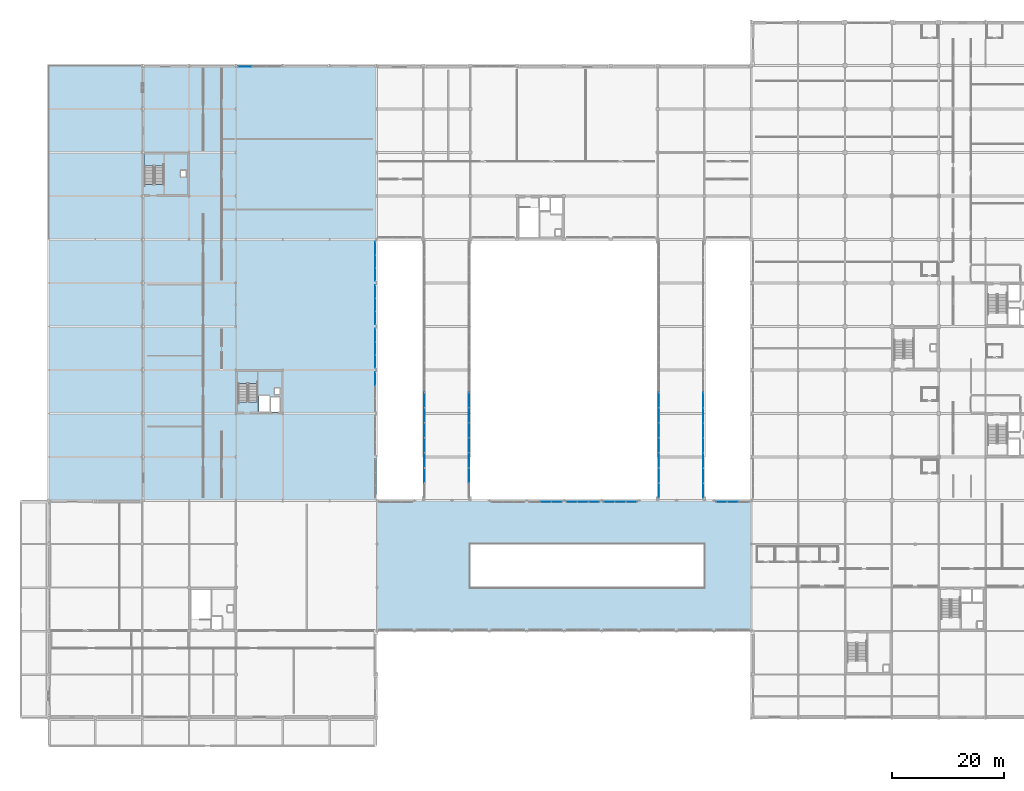
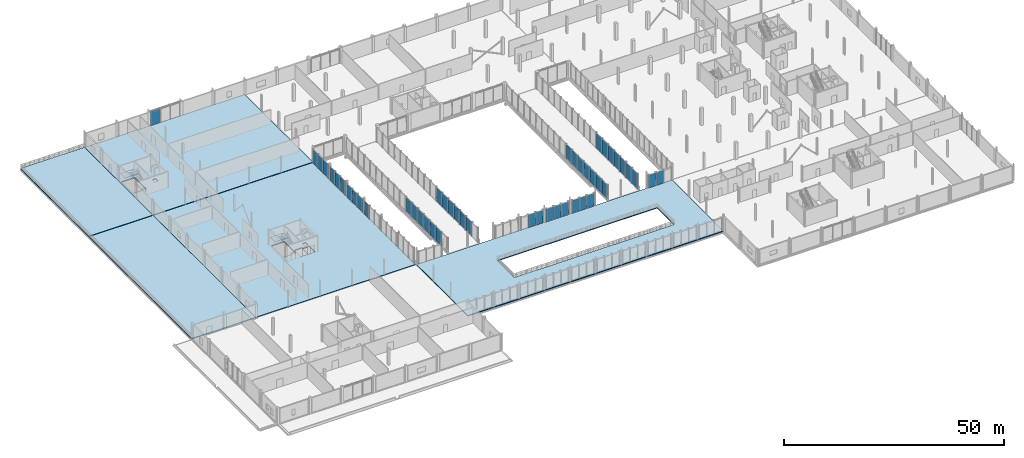
# One storey, part 62 of 98: 47 plates, 7 slabs, 15 elements without a shape of their own.
"""IFC4 building model written with IfcOpenShell, lengths in metres."""

from ifc_helpers import new_model, si_unit, direction, frame, origin, origin_2d, place, context, subcontext, project, spatial, polyline, rectangle, outline, extrude, material, layer, layer_set, type_object, element, aggregate, save


model = new_model("IFC4")

# Units and contexts
model_context = context("Model", 3, precision=1e-05, world=origin(), true_north=direction((0.0, 1.0)))
body_context = subcontext(model_context, "Body", "Model", "MODEL_VIEW")
ifc_project = project(units=[si_unit("LENGTHUNIT", "METRE"), si_unit("AREAUNIT", "SQUARE_METRE"), si_unit("VOLUMEUNIT", "CUBIC_METRE"), si_unit("PLANEANGLEUNIT", "RADIAN"), si_unit("MASSUNIT", "GRAM", prefix="KILO")], contexts=[model_context])

# Site, building, storey
site_placement = place(None, origin())
site = spatial("IfcSite", under=ifc_project, at=site_placement, CompositionType="ELEMENT")
building_placement = place(site_placement, origin())
building = spatial("IfcBuilding", under=site, at=building_placement, Name="Nabrawat Pavilion Hospital", CompositionType="ELEMENT")
storey_placement = place(building_placement, frame((0.0, 0.0, 10.199951171875)))
storey = spatial("IfcBuildingStorey", under=building, at=storey_placement, Name="L02", CompositionType="ELEMENT", Elevation=10.199951171875)

# Slab
ifc_material_1 = material(Name="Concrete C35/45", Category="concrete")
ifc_layer_1 = layer(ifc_material_1, 0.239990234375, Name="Concrete C35/45")
ifc_layer_set_1 = layer_set([ifc_layer_1], Name="Concrete C35/45")
slab_type_1 = type_object("IfcSlabType", Name="Composite Gallery Floor Slab 240", PredefinedType="FLOOR", material=ifc_layer_set_1)
slab_1_placement = place(storey_placement, frame((0.0, 0.0, -0.239990234375)))
element("IfcSlab", 1, at=slab_1_placement, inside=storey, type_object=slab_type_1, Name="L02 Structural Floor Slab P_L02_V1", PredefinedType="FLOOR", context=body_context, shape_type="SweptSolid", body=[
    extrude(outline(polyline([(58.919921875, 15.60009765625), (126.0, 15.60009765625), (126.0, 39.0), (58.919921875, 39.0), (58.919921875, 15.60009765625)]), holes=[polyline([(75.60009765625, 23.39990234375), (75.60009765625, 31.199951171875), (117.60009765625, 31.199951171875), (117.60009765625, 23.39990234375), (75.60009765625, 23.39990234375)])]), origin(), (0.0, 0.0, 1.0), 0.239990234375),
])

# Curtain wall, plates
ifc_material_2 = material(Name="Anodised Aluminium", Category="aluminium")
curtain_wall_type_1 = type_object("IfcCurtainWallType", Name="Courtyard Link Bridge Glazed Curtain Wall", PredefinedType="USERDEFINED", material=ifc_material_2)
curtain_wall_1_placement = place(storey_placement, origin())
curtain_wall_1 = element("IfcCurtainWall", 2, at=curtain_wall_1_placement, inside=storey, type_object=curtain_wall_type_1, Name="L02 Courtyard Link Bridge Glazed Curtain Wall 117", ObjectType="CURTAIN WALL", PredefinedType="USERDEFINED")
ifc_material_3 = material(Name="Double-Glazed Low-E Glass", Category="glass")
ifc_layer_2 = layer(ifc_material_3, 0.031982421875, Name="Double-Glazed Low-E Glass")
ifc_layer_set_2 = layer_set([ifc_layer_2], Name="Double-Glazed Low-E Glass")
plate_type_1 = type_object("IfcPlateType", Name="Courtyard Link Bridge Glazed Curtain Wall Low-E Solar Panel 32", PredefinedType="CURTAIN_PANEL", material=ifc_layer_set_2)
plate_1_placement = place(storey_placement, frame((67.419921875, 43.49169921875, 0.070068359375), z_axis=(0.0, 0.0, 1.0), x_axis=(0.0, 1.0, 0.0)))
plate_1 = element("IfcPlate", 3, at=plate_1_placement, type_object=plate_type_1, Name="CW-BRG-01 panel 2.1", PredefinedType="CURTAIN_PANEL", context=body_context, shape_type="SweptSolid", body=[
    extrude(rectangle(XDim=2.631103515625, YDim=0.031982421875, at=origin_2d()), origin(), (0.0, 0.0, 1.0), 3.89990234375),
])
plate_2_placement = place(storey_placement, frame((67.419921875, 46.19287109375, 0.070068359375), z_axis=(0.0, 0.0, 1.0), x_axis=(0.0, 1.0, 0.0)))
plate_2 = element("IfcPlate", 4, at=plate_2_placement, type_object=plate_type_1, Name="CW-BRG-01 panel 3.1", PredefinedType="CURTAIN_PANEL", context=body_context, shape_type="SweptSolid", body=[
    extrude(rectangle(XDim=2.631103515625, YDim=0.031982421875, at=origin_2d()), origin(), (0.0, 0.0, 1.0), 3.89990234375),
])
plate_3_placement = place(storey_placement, frame((67.419921875, 48.89404296875, 0.070068359375), z_axis=(0.0, 0.0, 1.0), x_axis=(0.0, 1.0, 0.0)))
plate_3 = element("IfcPlate", 5, at=plate_3_placement, type_object=plate_type_1, Name="CW-BRG-01 panel 4.1", PredefinedType="CURTAIN_PANEL", context=body_context, shape_type="SweptSolid", body=[
    extrude(rectangle(XDim=2.631103515625, YDim=0.031982421875, at=origin_2d()), origin(), (0.0, 0.0, 1.0), 3.89990234375),
])
plate_4_placement = place(storey_placement, frame((67.419921875, 51.59521484375, 0.070068359375), z_axis=(0.0, 0.0, 1.0), x_axis=(0.0, 1.0, 0.0)))
plate_4 = element("IfcPlate", 6, at=plate_4_placement, type_object=plate_type_1, Name="CW-BRG-01 panel 5.1", PredefinedType="CURTAIN_PANEL", context=body_context, shape_type="SweptSolid", body=[
    extrude(rectangle(XDim=2.631103515625, YDim=0.031982421875, at=origin_2d()), origin(), (0.0, 0.0, 1.0), 3.89990234375),
])
plate_5_placement = place(storey_placement, frame((67.419921875, 54.29638671875, 0.070068359375), z_axis=(0.0, 0.0, 1.0), x_axis=(0.0, 1.0, 0.0)))
plate_5 = element("IfcPlate", 7, at=plate_5_placement, type_object=plate_type_1, Name="CW-BRG-01 panel 6.1", PredefinedType="CURTAIN_PANEL", context=body_context, shape_type="SweptSolid", body=[
    extrude(rectangle(XDim=2.631103515625, YDim=0.031982421875, at=origin_2d()), origin(), (0.0, 0.0, 1.0), 3.89990234375),
])
plate_6_placement = place(storey_placement, frame((67.419921875, 56.99755859375, 0.070068359375), z_axis=(0.0, 0.0, 1.0), x_axis=(0.0, 1.0, 0.0)))
plate_6 = element("IfcPlate", 8, at=plate_6_placement, type_object=plate_type_1, Name="CW-BRG-01 panel 7.1", PredefinedType="CURTAIN_PANEL", context=body_context, shape_type="SweptSolid", body=[
    extrude(rectangle(XDim=2.631103515625, YDim=0.031982421875, at=origin_2d()), origin(), (0.0, 0.0, 1.0), 3.89990234375),
])
aggregate(curtain_wall_1, [plate_1, plate_2, plate_3, plate_4, plate_5, plate_6])

curtain_wall_2_placement = place(storey_placement, origin())
curtain_wall_2 = element("IfcCurtainWall", 9, at=curtain_wall_2_placement, inside=storey, type_object=curtain_wall_type_1, Name="L02 Courtyard Link Bridge Glazed Curtain Wall 118", ObjectType="CURTAIN WALL", PredefinedType="USERDEFINED")
plate_7_placement = place(storey_placement, frame((75.3798828125, 43.49169921875, 0.070068359375), z_axis=(0.0, 0.0, 1.0), x_axis=(0.0, 1.0, 0.0)))
plate_7 = element("IfcPlate", 10, at=plate_7_placement, type_object=plate_type_1, Name="CW-BRG-01 panel 2.1", PredefinedType="CURTAIN_PANEL", context=body_context, shape_type="SweptSolid", body=[
    extrude(rectangle(XDim=2.631103515625, YDim=0.031982421875, at=origin_2d()), origin(), (0.0, 0.0, 1.0), 3.89990234375),
])
plate_8_placement = place(storey_placement, frame((75.3798828125, 46.19287109375, 0.070068359375), z_axis=(0.0, 0.0, 1.0), x_axis=(0.0, 1.0, 0.0)))
plate_8 = element("IfcPlate", 11, at=plate_8_placement, type_object=plate_type_1, Name="CW-BRG-01 panel 3.1", PredefinedType="CURTAIN_PANEL", context=body_context, shape_type="SweptSolid", body=[
    extrude(rectangle(XDim=2.631103515625, YDim=0.031982421875, at=origin_2d()), origin(), (0.0, 0.0, 1.0), 3.89990234375),
])
plate_9_placement = place(storey_placement, frame((75.3798828125, 48.89404296875, 0.070068359375), z_axis=(0.0, 0.0, 1.0), x_axis=(0.0, 1.0, 0.0)))
plate_9 = element("IfcPlate", 12, at=plate_9_placement, type_object=plate_type_1, Name="CW-BRG-01 panel 4.1", PredefinedType="CURTAIN_PANEL", context=body_context, shape_type="SweptSolid", body=[
    extrude(rectangle(XDim=2.631103515625, YDim=0.031982421875, at=origin_2d()), origin(), (0.0, 0.0, 1.0), 3.89990234375),
])
plate_10_placement = place(storey_placement, frame((75.3798828125, 51.59521484375, 0.070068359375), z_axis=(0.0, 0.0, 1.0), x_axis=(0.0, 1.0, 0.0)))
plate_10 = element("IfcPlate", 13, at=plate_10_placement, type_object=plate_type_1, Name="CW-BRG-01 panel 5.1", PredefinedType="CURTAIN_PANEL", context=body_context, shape_type="SweptSolid", body=[
    extrude(rectangle(XDim=2.631103515625, YDim=0.031982421875, at=origin_2d()), origin(), (0.0, 0.0, 1.0), 3.89990234375),
])
plate_11_placement = place(storey_placement, frame((75.3798828125, 54.29638671875, 0.070068359375), z_axis=(0.0, 0.0, 1.0), x_axis=(0.0, 1.0, 0.0)))
plate_11 = element("IfcPlate", 14, at=plate_11_placement, type_object=plate_type_1, Name="CW-BRG-01 panel 6.1", PredefinedType="CURTAIN_PANEL", context=body_context, shape_type="SweptSolid", body=[
    extrude(rectangle(XDim=2.631103515625, YDim=0.031982421875, at=origin_2d()), origin(), (0.0, 0.0, 1.0), 3.89990234375),
])
plate_12_placement = place(storey_placement, frame((75.3798828125, 56.99755859375, 0.070068359375), z_axis=(0.0, 0.0, 1.0), x_axis=(0.0, 1.0, 0.0)))
plate_12 = element("IfcPlate", 15, at=plate_12_placement, type_object=plate_type_1, Name="CW-BRG-01 panel 7.1", PredefinedType="CURTAIN_PANEL", context=body_context, shape_type="SweptSolid", body=[
    extrude(rectangle(XDim=2.631103515625, YDim=0.031982421875, at=origin_2d()), origin(), (0.0, 0.0, 1.0), 3.89990234375),
])
aggregate(curtain_wall_2, [plate_7, plate_8, plate_9, plate_10, plate_11, plate_12])

curtain_wall_3_placement = place(storey_placement, origin())
curtain_wall_3 = element("IfcCurtainWall", 16, at=curtain_wall_3_placement, inside=storey, type_object=curtain_wall_type_1, Name="L02 Courtyard Link Bridge Glazed Curtain Wall 126", ObjectType="CURTAIN WALL", PredefinedType="USERDEFINED")
plate_13_placement = place(storey_placement, frame((109.419921875, 40.80810546875, 0.070068359375), z_axis=(0.0, 0.0, 1.0), x_axis=(0.0, 1.0, 0.0)))
plate_13 = element("IfcPlate", 17, at=plate_13_placement, type_object=plate_type_1, Name="CW-BRG-01 panel 1.1", PredefinedType="CURTAIN_PANEL", context=body_context, shape_type="SweptSolid", body=[
    extrude(rectangle(XDim=2.59619140625, YDim=0.031982421875, at=origin_2d()), origin(), (0.0, 0.0, 1.0), 3.89990234375),
])
plate_14_placement = place(storey_placement, frame((109.419921875, 43.49169921875, 0.070068359375), z_axis=(0.0, 0.0, 1.0), x_axis=(0.0, 1.0, 0.0)))
plate_14 = element("IfcPlate", 18, at=plate_14_placement, type_object=plate_type_1, Name="CW-BRG-01 panel 2.1", PredefinedType="CURTAIN_PANEL", context=body_context, shape_type="SweptSolid", body=[
    extrude(rectangle(XDim=2.631103515625, YDim=0.031982421875, at=origin_2d()), origin(), (0.0, 0.0, 1.0), 3.89990234375),
])
plate_15_placement = place(storey_placement, frame((109.419921875, 46.19287109375, 0.070068359375), z_axis=(0.0, 0.0, 1.0), x_axis=(0.0, 1.0, 0.0)))
plate_15 = element("IfcPlate", 19, at=plate_15_placement, type_object=plate_type_1, Name="CW-BRG-01 panel 3.1", PredefinedType="CURTAIN_PANEL", context=body_context, shape_type="SweptSolid", body=[
    extrude(rectangle(XDim=2.631103515625, YDim=0.031982421875, at=origin_2d()), origin(), (0.0, 0.0, 1.0), 3.89990234375),
])
plate_16_placement = place(storey_placement, frame((109.419921875, 48.89404296875, 0.070068359375), z_axis=(0.0, 0.0, 1.0), x_axis=(0.0, 1.0, 0.0)))
plate_16 = element("IfcPlate", 20, at=plate_16_placement, type_object=plate_type_1, Name="CW-BRG-01 panel 4.1", PredefinedType="CURTAIN_PANEL", context=body_context, shape_type="SweptSolid", body=[
    extrude(rectangle(XDim=2.631103515625, YDim=0.031982421875, at=origin_2d()), origin(), (0.0, 0.0, 1.0), 3.89990234375),
])
plate_17_placement = place(storey_placement, frame((109.419921875, 51.59521484375, 0.070068359375), z_axis=(0.0, 0.0, 1.0), x_axis=(0.0, 1.0, 0.0)))
plate_17 = element("IfcPlate", 21, at=plate_17_placement, type_object=plate_type_1, Name="CW-BRG-01 panel 5.1", PredefinedType="CURTAIN_PANEL", context=body_context, shape_type="SweptSolid", body=[
    extrude(rectangle(XDim=2.631103515625, YDim=0.031982421875, at=origin_2d()), origin(), (0.0, 0.0, 1.0), 3.89990234375),
])
plate_18_placement = place(storey_placement, frame((109.419921875, 54.29638671875, 0.070068359375), z_axis=(0.0, 0.0, 1.0), x_axis=(0.0, 1.0, 0.0)))
plate_18 = element("IfcPlate", 22, at=plate_18_placement, type_object=plate_type_1, Name="CW-BRG-01 panel 6.1", PredefinedType="CURTAIN_PANEL", context=body_context, shape_type="SweptSolid", body=[
    extrude(rectangle(XDim=2.631103515625, YDim=0.031982421875, at=origin_2d()), origin(), (0.0, 0.0, 1.0), 3.89990234375),
])
plate_19_placement = place(storey_placement, frame((109.419921875, 56.99755859375, 0.070068359375), z_axis=(0.0, 0.0, 1.0), x_axis=(0.0, 1.0, 0.0)))
plate_19 = element("IfcPlate", 23, at=plate_19_placement, type_object=plate_type_1, Name="CW-BRG-01 panel 7.1", PredefinedType="CURTAIN_PANEL", context=body_context, shape_type="SweptSolid", body=[
    extrude(rectangle(XDim=2.631103515625, YDim=0.031982421875, at=origin_2d()), origin(), (0.0, 0.0, 1.0), 3.89990234375),
])
aggregate(curtain_wall_3, [plate_13, plate_14, plate_15, plate_16, plate_17, plate_18, plate_19])

curtain_wall_4_placement = place(storey_placement, origin())
curtain_wall_4 = element("IfcCurtainWall", 24, at=curtain_wall_4_placement, inside=storey, type_object=curtain_wall_type_1, Name="L02 Courtyard Link Bridge Glazed Curtain Wall 127", ObjectType="CURTAIN WALL", PredefinedType="USERDEFINED")
plate_20_placement = place(storey_placement, frame((117.3798828125, 40.80810546875, 0.070068359375), z_axis=(0.0, 0.0, 1.0), x_axis=(0.0, 1.0, 0.0)))
plate_20 = element("IfcPlate", 25, at=plate_20_placement, type_object=plate_type_1, Name="CW-BRG-01 panel 1.1", PredefinedType="CURTAIN_PANEL", context=body_context, shape_type="SweptSolid", body=[
    extrude(rectangle(XDim=2.59619140625, YDim=0.031982421875, at=origin_2d()), origin(), (0.0, 0.0, 1.0), 4.22998046875),
])
plate_21_placement = place(storey_placement, frame((117.3798828125, 43.49169921875, 0.070068359375), z_axis=(0.0, 0.0, 1.0), x_axis=(0.0, 1.0, 0.0)))
plate_21 = element("IfcPlate", 26, at=plate_21_placement, type_object=plate_type_1, Name="CW-BRG-01 panel 2.1", PredefinedType="CURTAIN_PANEL", context=body_context, shape_type="SweptSolid", body=[
    extrude(rectangle(XDim=2.631103515625, YDim=0.031982421875, at=origin_2d()), origin(), (0.0, 0.0, 1.0), 4.22998046875),
])
plate_22_placement = place(storey_placement, frame((117.3798828125, 46.19287109375, 0.070068359375), z_axis=(0.0, 0.0, 1.0), x_axis=(0.0, 1.0, 0.0)))
plate_22 = element("IfcPlate", 27, at=plate_22_placement, type_object=plate_type_1, Name="CW-BRG-01 panel 3.1", PredefinedType="CURTAIN_PANEL", context=body_context, shape_type="SweptSolid", body=[
    extrude(rectangle(XDim=2.631103515625, YDim=0.031982421875, at=origin_2d()), origin(), (0.0, 0.0, 1.0), 4.22998046875),
])
plate_23_placement = place(storey_placement, frame((117.3798828125, 48.89404296875, 0.070068359375), z_axis=(0.0, 0.0, 1.0), x_axis=(0.0, 1.0, 0.0)))
plate_23 = element("IfcPlate", 28, at=plate_23_placement, type_object=plate_type_1, Name="CW-BRG-01 panel 4.1", PredefinedType="CURTAIN_PANEL", context=body_context, shape_type="SweptSolid", body=[
    extrude(rectangle(XDim=2.631103515625, YDim=0.031982421875, at=origin_2d()), origin(), (0.0, 0.0, 1.0), 4.22998046875),
])
plate_24_placement = place(storey_placement, frame((117.3798828125, 51.59521484375, 0.070068359375), z_axis=(0.0, 0.0, 1.0), x_axis=(0.0, 1.0, 0.0)))
plate_24 = element("IfcPlate", 29, at=plate_24_placement, type_object=plate_type_1, Name="CW-BRG-01 panel 5.1", PredefinedType="CURTAIN_PANEL", context=body_context, shape_type="SweptSolid", body=[
    extrude(rectangle(XDim=2.631103515625, YDim=0.031982421875, at=origin_2d()), origin(), (0.0, 0.0, 1.0), 4.22998046875),
])
plate_25_placement = place(storey_placement, frame((117.3798828125, 54.29638671875, 0.070068359375), z_axis=(0.0, 0.0, 1.0), x_axis=(0.0, 1.0, 0.0)))
plate_25 = element("IfcPlate", 30, at=plate_25_placement, type_object=plate_type_1, Name="CW-BRG-01 panel 6.1", PredefinedType="CURTAIN_PANEL", context=body_context, shape_type="SweptSolid", body=[
    extrude(rectangle(XDim=2.631103515625, YDim=0.031982421875, at=origin_2d()), origin(), (0.0, 0.0, 1.0), 4.22998046875),
])
plate_26_placement = place(storey_placement, frame((117.3798828125, 56.99755859375, 0.070068359375), z_axis=(0.0, 0.0, 1.0), x_axis=(0.0, 1.0, 0.0)))
plate_26 = element("IfcPlate", 31, at=plate_26_placement, type_object=plate_type_1, Name="CW-BRG-01 panel 7.1", PredefinedType="CURTAIN_PANEL", context=body_context, shape_type="SweptSolid", body=[
    extrude(rectangle(XDim=2.631103515625, YDim=0.031982421875, at=origin_2d()), origin(), (0.0, 0.0, 1.0), 4.22998046875),
])
aggregate(curtain_wall_4, [plate_20, plate_21, plate_22, plate_23, plate_24, plate_25, plate_26])

# Curtain wall, plate
curtain_wall_type_2 = type_object("IfcCurtainWallType", Name="Emergency Concourse Glazed Screen", PredefinedType="USERDEFINED", material=ifc_material_2)
curtain_wall_5_placement = place(storey_placement, origin())
curtain_wall_5 = element("IfcCurtainWall", 32, at=curtain_wall_5_placement, inside=storey, type_object=curtain_wall_type_2, Name="L02 Emergency Concourse Glazed Screen 097", ObjectType="CURTAIN WALL", PredefinedType="USERDEFINED")
ifc_layer_3 = layer(ifc_material_3, 0.030029296875, Name="Double-Glazed Low-E Glass")
ifc_layer_set_3 = layer_set([ifc_layer_3], Name="Double-Glazed Low-E Glass")
plate_type_2 = type_object("IfcPlateType", Name="Emergency Concourse Glazed Screen Low-E Solar Panel 30", PredefinedType="CURTAIN_PANEL", material=ifc_layer_set_3)
plate_27_placement = place(storey_placement, frame((35.230712890625, 116.780029296875, 0.070068359375), z_axis=(0.0, 0.0, 1.0), x_axis=(1.0, 0.0, 0.0)))
plate_27 = element("IfcPlate", 33, at=plate_27_placement, type_object=plate_type_2, Name="CW-ED-01 panel 1.1", PredefinedType="CURTAIN_PANEL", context=body_context, shape_type="SweptSolid", body=[
    extrude(rectangle(XDim=2.481689453125, YDim=0.030029296875, at=origin_2d()), origin(), (0.0, 0.0, 1.0), 3.8701171875),
])
aggregate(curtain_wall_5, [plate_27])

# Slabs
ifc_layer_4 = layer(ifc_material_1, 0.22998046875, Name="Concrete C35/45")
ifc_layer_set_4 = layer_set([ifc_layer_4], Name="Concrete C35/45")
slab_type_2 = type_object("IfcSlabType", Name="Exterior Clinical Terrace Slab 230", PredefinedType="FLOOR", material=ifc_layer_set_4)
slab_2_placement = place(storey_placement, frame((0.0, 0.0, -0.22998046875)))
element("IfcSlab", 34, at=slab_2_placement, inside=storey, type_object=slab_type_2, Name="L02 Walkable Clinical Terrace Slab T_L02_SURG_WEST_S", PredefinedType="FLOOR", context=body_context, shape_type="SweptSolid", body=[
    extrude(outline(polyline([(16.800048828125, 39.1201171875), (16.800048828125, 85.800048828125), (0.0, 85.800048828125), (0.0, 39.1201171875), (16.800048828125, 39.1201171875)])), origin(), (0.0, 0.0, 1.0), 0.22998046875),
])
slab_3_placement = place(storey_placement, frame((0.0, 0.0, -0.22998046875)))
element("IfcSlab", 35, at=slab_3_placement, inside=storey, type_object=slab_type_2, Name="L02 Walkable Clinical Terrace Slab T_L02_SURG_WEST_N", PredefinedType="FLOOR", context=body_context, shape_type="SweptSolid", body=[
    extrude(outline(polyline([(16.800048828125, 85.919921875), (16.800048828125, 117.0), (0.0, 117.0), (0.0, 85.919921875), (16.800048828125, 85.919921875)])), origin(), (0.0, 0.0, 1.0), 0.22998046875),
])

# Curtain wall, plate
curtain_wall_type_3 = type_object("IfcCurtainWallType", Name="Healing Garden Cloister Curtain Wall", PredefinedType="USERDEFINED", material=ifc_material_2)
curtain_wall_6_placement = place(storey_placement, origin())
curtain_wall_6 = element("IfcCurtainWall", 36, at=curtain_wall_6_placement, inside=storey, type_object=curtain_wall_type_3, Name="L02 Healing Garden Cloister Curtain Wall 110", ObjectType="CURTAIN WALL", PredefinedType="USERDEFINED")
ifc_layer_5 = layer(ifc_material_3, 0.028076171875, Name="Double-Glazed Low-E Glass")
ifc_layer_set_5 = layer_set([ifc_layer_5], Name="Double-Glazed Low-E Glass")
plate_type_3 = type_object("IfcPlateType", Name="Healing Garden Cloister Curtain Wall Low-E Solar Panel 28", PredefinedType="CURTAIN_PANEL", material=ifc_layer_set_5)
plate_28_placement = place(storey_placement, frame((58.580078125, 60.84033203125, 0.065185546875), z_axis=(0.0, 0.0, 1.0), x_axis=(0.0, 1.0, 0.0)))
plate_28 = element("IfcPlate", 37, at=plate_28_placement, type_object=plate_type_3, Name="CW-CLN-01 panel 3.1", PredefinedType="CURTAIN_PANEL", context=body_context, shape_type="SweptSolid", body=[
    extrude(rectangle(XDim=2.25927734375, YDim=0.028076171875, at=origin_2d()), origin(), (0.0, 0.0, 1.0), 3.68994140625),
])
aggregate(curtain_wall_6, [plate_28])

# Curtain wall, plates
curtain_wall_7_placement = place(storey_placement, origin())
curtain_wall_7 = element("IfcCurtainWall", 38, at=curtain_wall_7_placement, inside=storey, type_object=curtain_wall_type_3, Name="L02 Healing Garden Cloister Curtain Wall 111", ObjectType="CURTAIN WALL", PredefinedType="USERDEFINED")
plate_29_placement = place(storey_placement, frame((58.580078125, 63.95947265625, 0.065185546875), z_axis=(0.0, 0.0, 1.0), x_axis=(0.0, 1.0, 0.0)))
plate_29 = element("IfcPlate", 39, at=plate_29_placement, type_object=plate_type_3, Name="CW-CLN-01 panel 1.1", PredefinedType="CURTAIN_PANEL", context=body_context, shape_type="SweptSolid", body=[
    extrude(rectangle(XDim=2.25927734375, YDim=0.028076171875, at=origin_2d()), origin(), (0.0, 0.0, 1.0), 3.68994140625),
])
plate_30_placement = place(storey_placement, frame((58.580078125, 66.300048828125, 0.065185546875), z_axis=(0.0, 0.0, 1.0), x_axis=(0.0, 1.0, 0.0)))
plate_30 = element("IfcPlate", 40, at=plate_30_placement, type_object=plate_type_3, Name="CW-CLN-01 panel 2.1", PredefinedType="CURTAIN_PANEL", context=body_context, shape_type="SweptSolid", body=[
    extrude(rectangle(XDim=2.291748046875, YDim=0.028076171875, at=origin_2d()), origin(), (0.0, 0.0, 1.0), 3.68994140625),
])
plate_31_placement = place(storey_placement, frame((58.580078125, 68.640380859375, 0.065185546875), z_axis=(0.0, 0.0, 1.0), x_axis=(0.0, 1.0, 0.0)))
plate_31 = element("IfcPlate", 41, at=plate_31_placement, type_object=plate_type_3, Name="CW-CLN-01 panel 3.1", PredefinedType="CURTAIN_PANEL", context=body_context, shape_type="SweptSolid", body=[
    extrude(rectangle(XDim=2.25927734375, YDim=0.028076171875, at=origin_2d()), origin(), (0.0, 0.0, 1.0), 3.68994140625),
])
aggregate(curtain_wall_7, [plate_29, plate_30, plate_31])

curtain_wall_8_placement = place(storey_placement, origin())
curtain_wall_8 = element("IfcCurtainWall", 42, at=curtain_wall_8_placement, inside=storey, type_object=curtain_wall_type_3, Name="L02 Healing Garden Cloister Curtain Wall 112", ObjectType="CURTAIN WALL", PredefinedType="USERDEFINED")
plate_32_placement = place(storey_placement, frame((58.580078125, 71.759521484375, 0.06494140625), z_axis=(0.0, 0.0, 1.0), x_axis=(0.0, 1.0, 0.0)))
plate_32 = element("IfcPlate", 43, at=plate_32_placement, type_object=plate_type_3, Name="CW-CLN-01 panel 1.1", PredefinedType="CURTAIN_PANEL", context=body_context, shape_type="SweptSolid", body=[
    extrude(rectangle(XDim=2.25927734375, YDim=0.028076171875, at=origin_2d()), origin(), (0.0, 0.0, 1.0), 3.840087890625),
])
plate_33_placement = place(storey_placement, frame((58.580078125, 74.10009765625, 0.06494140625), z_axis=(0.0, 0.0, 1.0), x_axis=(0.0, 1.0, 0.0)))
plate_33 = element("IfcPlate", 44, at=plate_33_placement, type_object=plate_type_3, Name="CW-CLN-01 panel 2.1", PredefinedType="CURTAIN_PANEL", context=body_context, shape_type="SweptSolid", body=[
    extrude(rectangle(XDim=2.291748046875, YDim=0.028076171875, at=origin_2d()), origin(), (0.0, 0.0, 1.0), 3.840087890625),
])
plate_34_placement = place(storey_placement, frame((58.580078125, 76.4404296875, 0.06494140625), z_axis=(0.0, 0.0, 1.0), x_axis=(0.0, 1.0, 0.0)))
plate_34 = element("IfcPlate", 45, at=plate_34_placement, type_object=plate_type_3, Name="CW-CLN-01 panel 3.1", PredefinedType="CURTAIN_PANEL", context=body_context, shape_type="SweptSolid", body=[
    extrude(rectangle(XDim=2.25927734375, YDim=0.028076171875, at=origin_2d()), origin(), (0.0, 0.0, 1.0), 3.840087890625),
])
aggregate(curtain_wall_8, [plate_32, plate_33, plate_34])

curtain_wall_9_placement = place(storey_placement, origin())
curtain_wall_9 = element("IfcCurtainWall", 46, at=curtain_wall_9_placement, inside=storey, type_object=curtain_wall_type_3, Name="L02 Healing Garden Cloister Curtain Wall 113", ObjectType="CURTAIN WALL", PredefinedType="USERDEFINED")
plate_35_placement = place(storey_placement, frame((58.580078125, 79.5595703125, 0.06494140625), z_axis=(0.0, 0.0, 1.0), x_axis=(0.0, 1.0, 0.0)))
plate_35 = element("IfcPlate", 47, at=plate_35_placement, type_object=plate_type_3, Name="CW-CLN-01 panel 1.1", PredefinedType="CURTAIN_PANEL", context=body_context, shape_type="SweptSolid", body=[
    extrude(rectangle(XDim=2.25927734375, YDim=0.028076171875, at=origin_2d()), origin(), (0.0, 0.0, 1.0), 3.840087890625),
])
plate_36_placement = place(storey_placement, frame((58.580078125, 81.89990234375, 0.06494140625), z_axis=(0.0, 0.0, 1.0), x_axis=(0.0, 1.0, 0.0)))
plate_36 = element("IfcPlate", 48, at=plate_36_placement, type_object=plate_type_3, Name="CW-CLN-01 panel 2.1", PredefinedType="CURTAIN_PANEL", context=body_context, shape_type="SweptSolid", body=[
    extrude(rectangle(XDim=2.291748046875, YDim=0.028076171875, at=origin_2d()), origin(), (0.0, 0.0, 1.0), 3.840087890625),
])
plate_37_placement = place(storey_placement, frame((58.580078125, 84.240478515625, 0.06494140625), z_axis=(0.0, 0.0, 1.0), x_axis=(0.0, 1.0, 0.0)))
plate_37 = element("IfcPlate", 49, at=plate_37_placement, type_object=plate_type_3, Name="CW-CLN-01 panel 3.1", PredefinedType="CURTAIN_PANEL", context=body_context, shape_type="SweptSolid", body=[
    extrude(rectangle(XDim=2.25927734375, YDim=0.028076171875, at=origin_2d()), origin(), (0.0, 0.0, 1.0), 3.840087890625),
])
aggregate(curtain_wall_9, [plate_35, plate_36, plate_37])

curtain_wall_type_4 = type_object("IfcCurtainWallType", Name="Main Hall Pavilion Unitised Curtain Wall", PredefinedType="USERDEFINED", material=ifc_material_2)
curtain_wall_10_placement = place(storey_placement, origin())
curtain_wall_10 = element("IfcCurtainWall", 50, at=curtain_wall_10_placement, inside=storey, type_object=curtain_wall_type_4, Name="L02 Main Hall Pavilion Unitised Curtain Wall 120", ObjectType="CURTAIN WALL", PredefinedType="USERDEFINED")
ifc_layer_6 = layer(ifc_material_3, 0.035888671875, Name="Double-Glazed Low-E Glass")
ifc_layer_set_6 = layer_set([ifc_layer_6], Name="Double-Glazed Low-E Glass")
plate_type_4 = type_object("IfcPlateType", Name="Main Hall Pavilion Unitised Curtain Wall Low-E Solar Panel 36", PredefinedType="CURTAIN_PANEL", material=ifc_layer_set_6)
plate_38_placement = place(storey_placement, frame((89.10595703125, 38.780029296875, 0.0751953125), z_axis=(0.0, 0.0, 1.0), x_axis=(1.0, 0.0, 0.0)))
plate_38 = element("IfcPlate", 51, at=plate_38_placement, type_object=plate_type_4, Name="CW-MH-01 panel 2.1", PredefinedType="CURTAIN_PANEL", context=body_context, shape_type="SweptSolid", body=[
    extrude(rectangle(XDim=1.93212890625, YDim=0.035888671875, at=origin_2d()), origin(), (0.0, 0.0, 1.0), 3.530029296875),
])
plate_39_placement = place(storey_placement, frame((91.094482421875, 38.780029296875, 0.0751953125), z_axis=(0.0, 0.0, 1.0), x_axis=(1.0, 0.0, 0.0)))
plate_39 = element("IfcPlate", 52, at=plate_39_placement, type_object=plate_type_4, Name="CW-MH-01 panel 3.1", PredefinedType="CURTAIN_PANEL", context=body_context, shape_type="SweptSolid", body=[
    extrude(rectangle(XDim=1.894775390625, YDim=0.035888671875, at=origin_2d()), origin(), (0.0, 0.0, 1.0), 3.530029296875),
])
aggregate(curtain_wall_10, [plate_38, plate_39])

curtain_wall_11_placement = place(storey_placement, origin())
curtain_wall_11 = element("IfcCurtainWall", 53, at=curtain_wall_11_placement, inside=storey, type_object=curtain_wall_type_4, Name="L02 Main Hall Pavilion Unitised Curtain Wall 121", ObjectType="CURTAIN WALL", PredefinedType="USERDEFINED")
plate_40_placement = place(storey_placement, frame((93.825439453125, 38.780029296875, 0.0751953125), z_axis=(0.0, 0.0, 1.0), x_axis=(1.0, 0.0, 0.0)))
plate_40 = element("IfcPlate", 54, at=plate_40_placement, type_object=plate_type_4, Name="CW-MH-01 panel 1.1", PredefinedType="CURTAIN_PANEL", context=body_context, shape_type="SweptSolid", body=[
    extrude(rectangle(XDim=1.894775390625, YDim=0.035888671875, at=origin_2d()), origin(), (0.0, 0.0, 1.0), 3.530029296875),
])
plate_41_placement = place(storey_placement, frame((95.81396484375, 38.780029296875, 0.0751953125), z_axis=(0.0, 0.0, 1.0), x_axis=(1.0, 0.0, 0.0)))
plate_41 = element("IfcPlate", 55, at=plate_41_placement, type_object=plate_type_4, Name="CW-MH-01 panel 2.1", PredefinedType="CURTAIN_PANEL", context=body_context, shape_type="SweptSolid", body=[
    extrude(rectangle(XDim=1.93212890625, YDim=0.035888671875, at=origin_2d()), origin(), (0.0, 0.0, 1.0), 3.530029296875),
])
plate_42_placement = place(storey_placement, frame((97.802490234375, 38.780029296875, 0.0751953125), z_axis=(0.0, 0.0, 1.0), x_axis=(1.0, 0.0, 0.0)))
plate_42 = element("IfcPlate", 56, at=plate_42_placement, type_object=plate_type_4, Name="CW-MH-01 panel 3.1", PredefinedType="CURTAIN_PANEL", context=body_context, shape_type="SweptSolid", body=[
    extrude(rectangle(XDim=1.894775390625, YDim=0.035888671875, at=origin_2d()), origin(), (0.0, 0.0, 1.0), 3.530029296875),
])
aggregate(curtain_wall_11, [plate_40, plate_41, plate_42])

curtain_wall_12_placement = place(storey_placement, origin())
curtain_wall_12 = element("IfcCurtainWall", 57, at=curtain_wall_12_placement, inside=storey, type_object=curtain_wall_type_4, Name="L02 Main Hall Pavilion Unitised Curtain Wall 122", ObjectType="CURTAIN WALL", PredefinedType="USERDEFINED")
plate_43_placement = place(storey_placement, frame((100.533447265625, 38.780029296875, 0.0751953125), z_axis=(0.0, 0.0, 1.0), x_axis=(1.0, 0.0, 0.0)))
plate_43 = element("IfcPlate", 58, at=plate_43_placement, type_object=plate_type_4, Name="CW-MH-01 panel 1.1", PredefinedType="CURTAIN_PANEL", context=body_context, shape_type="SweptSolid", body=[
    extrude(rectangle(XDim=1.894775390625, YDim=0.035888671875, at=origin_2d()), origin(), (0.0, 0.0, 1.0), 3.530029296875),
])
plate_44_placement = place(storey_placement, frame((102.52197265625, 38.780029296875, 0.0751953125), z_axis=(0.0, 0.0, 1.0), x_axis=(1.0, 0.0, 0.0)))
plate_44 = element("IfcPlate", 59, at=plate_44_placement, type_object=plate_type_4, Name="CW-MH-01 panel 2.1", PredefinedType="CURTAIN_PANEL", context=body_context, shape_type="SweptSolid", body=[
    extrude(rectangle(XDim=1.93212890625, YDim=0.035888671875, at=origin_2d()), origin(), (0.0, 0.0, 1.0), 3.530029296875),
])
plate_45_placement = place(storey_placement, frame((104.510498046875, 38.780029296875, 0.0751953125), z_axis=(0.0, 0.0, 1.0), x_axis=(1.0, 0.0, 0.0)))
plate_45 = element("IfcPlate", 60, at=plate_45_placement, type_object=plate_type_4, Name="CW-MH-01 panel 3.1", PredefinedType="CURTAIN_PANEL", context=body_context, shape_type="SweptSolid", body=[
    extrude(rectangle(XDim=1.894775390625, YDim=0.035888671875, at=origin_2d()), origin(), (0.0, 0.0, 1.0), 3.530029296875),
])
aggregate(curtain_wall_12, [plate_43, plate_44, plate_45])

curtain_wall_13_placement = place(storey_placement, origin())
curtain_wall_13 = element("IfcCurtainWall", 61, at=curtain_wall_13_placement, inside=storey, type_object=curtain_wall_type_4, Name="L02 Main Hall Pavilion Unitised Curtain Wall 128", ObjectType="CURTAIN WALL", PredefinedType="USERDEFINED")
plate_46_placement = place(storey_placement, frame((120.657470703125, 38.780029296875, 0.0751953125), z_axis=(0.0, 0.0, 1.0), x_axis=(1.0, 0.0, 0.0)))
plate_46 = element("IfcPlate", 62, at=plate_46_placement, type_object=plate_type_4, Name="CW-MH-01 panel 1.1", PredefinedType="CURTAIN_PANEL", context=body_context, shape_type="SweptSolid", body=[
    extrude(rectangle(XDim=1.894775390625, YDim=0.035888671875, at=origin_2d()), origin(), (0.0, 0.0, 1.0), 3.530029296875),
])
plate_47_placement = place(storey_placement, frame((122.64599609375, 38.780029296875, 0.0751953125), z_axis=(0.0, 0.0, 1.0), x_axis=(1.0, 0.0, 0.0)))
plate_47 = element("IfcPlate", 63, at=plate_47_placement, type_object=plate_type_4, Name="CW-MH-01 panel 2.1", PredefinedType="CURTAIN_PANEL", context=body_context, shape_type="SweptSolid", body=[
    extrude(rectangle(XDim=1.93212890625, YDim=0.035888671875, at=origin_2d()), origin(), (0.0, 0.0, 1.0), 3.530029296875),
])
aggregate(curtain_wall_13, [plate_46, plate_47])

# Stair, slab
stair_type = type_object("IfcStairType", Name="Core Dogleg Escape Stair Assembly", PredefinedType="HALF_TURN_STAIR", material=ifc_material_1)
stair_1_placement = place(storey_placement, origin())
stair_1 = element("IfcStair", 64, at=stair_1_placement, inside=storey, type_object=stair_type, Name="L02 Surgical Stair and Bed-Lift Core 2", PredefinedType="HALF_TURN_STAIR")
ifc_layer_7 = layer(ifc_material_1, 0.199951171875, Name="Concrete C35/45")
ifc_layer_set_7 = layer_set([ifc_layer_7], Name="Concrete C35/45")
slab_type_3 = type_object("IfcSlabType", Name="Reinforced Concrete Stair Half-Landing 200", PredefinedType="LANDING", material=ifc_layer_set_7)
slab_4_placement = place(storey_placement, frame((0.0, 0.0, 2.125)))
slab_4 = element("IfcSlab", 65, at=slab_4_placement, type_object=slab_type_3, Name="ST-02 landing 1", PredefinedType="LANDING", context=body_context, shape_type="SweptSolid", body=[
    extrude(outline(polyline([(37.469970703125, 59.969970703125), (37.469970703125, 62.1201171875), (33.8798828125, 62.1201171875), (33.8798828125, 59.969970703125), (37.469970703125, 59.969970703125)])), origin(), (0.0, 0.0, 1.0), 0.199951171875),
])
aggregate(stair_1, [slab_4])

stair_2_placement = place(storey_placement, origin())
stair_2 = element("IfcStair", 66, at=stair_2_placement, inside=storey, type_object=stair_type, Name="L02 Surgical North Escape Stair Core 7", PredefinedType="HALF_TURN_STAIR")
slab_5_placement = place(storey_placement, frame((0.0, 0.0, 2.125)))
slab_5 = element("IfcSlab", 67, at=slab_5_placement, type_object=slab_type_3, Name="ST-07 landing 1", PredefinedType="LANDING", context=body_context, shape_type="SweptSolid", body=[
    extrude(outline(polyline([(20.669921875, 98.969970703125), (20.669921875, 101.1201171875), (17.080078125, 101.1201171875), (17.080078125, 98.969970703125), (20.669921875, 98.969970703125)])), origin(), (0.0, 0.0, 1.0), 0.199951171875),
])
aggregate(stair_2, [slab_5])

# Slabs
ifc_layer_8 = layer(ifc_material_1, 0.27001953125, Name="Concrete C35/45")
ifc_layer_set_8 = layer_set([ifc_layer_8], Name="Concrete C35/45")
slab_type_4 = type_object("IfcSlabType", Name="Surgical Vibration-Controlled Slab 270", PredefinedType="FLOOR", material=ifc_layer_set_8)
slab_6_placement = place(storey_placement, frame((0.0, 0.0, -0.27001953125)))
element("IfcSlab", 68, at=slab_6_placement, inside=storey, type_object=slab_type_4, Name="L02 Structural Floor Slab P_L02_V3_S", PredefinedType="FLOOR", context=body_context, shape_type="SweptSolid", body=[
    extrude(outline(polyline([(16.800048828125, 39.1201171875), (58.800048828125, 39.1201171875), (58.800048828125, 85.800048828125), (16.800048828125, 85.800048828125), (16.800048828125, 39.1201171875)]), holes=[polyline([(39.719970703125, 54.89990234375), (39.719970703125, 57.5), (41.47998046875, 57.5), (41.47998046875, 54.89990234375), (39.719970703125, 54.89990234375)]), polyline([(40.550048828125, 58.050048828125), (40.550048828125, 59.14990234375), (41.449951171875, 59.14990234375), (41.449951171875, 58.050048828125), (40.550048828125, 58.050048828125)]), polyline([(37.699951171875, 54.89990234375), (37.699951171875, 57.800048828125), (39.659912109375, 57.800048828125), (39.659912109375, 54.89990234375), (37.699951171875, 54.89990234375)]), polyline([(37.449951171875, 56.669921875), (34.050048828125, 56.669921875), (34.050048828125, 61.949951171875), (37.449951171875, 61.949951171875), (37.449951171875, 56.669921875)])]), origin(), (0.0, 0.0, 1.0), 0.27001953125),
])
slab_7_placement = place(storey_placement, frame((0.0, 0.0, -0.27001953125)))
element("IfcSlab", 69, at=slab_7_placement, inside=storey, type_object=slab_type_4, Name="L02 Structural Floor Slab P_L02_V3_N", PredefinedType="FLOOR", context=body_context, shape_type="SweptSolid", body=[
    extrude(outline(polyline([(16.800048828125, 85.919921875), (58.800048828125, 85.919921875), (58.800048828125, 117.0), (16.800048828125, 117.0), (16.800048828125, 85.919921875)]), holes=[polyline([(24.64990234375, 98.14990234375), (24.64990234375, 97.050048828125), (23.75, 97.050048828125), (23.75, 98.14990234375), (24.64990234375, 98.14990234375)]), polyline([(17.25, 100.949951171875), (20.64990234375, 100.949951171875), (20.64990234375, 95.669921875), (17.25, 95.669921875), (17.25, 100.949951171875)])]), origin(), (0.0, 0.0, 1.0), 0.27001953125),
])

save(model, "model.ifc")
